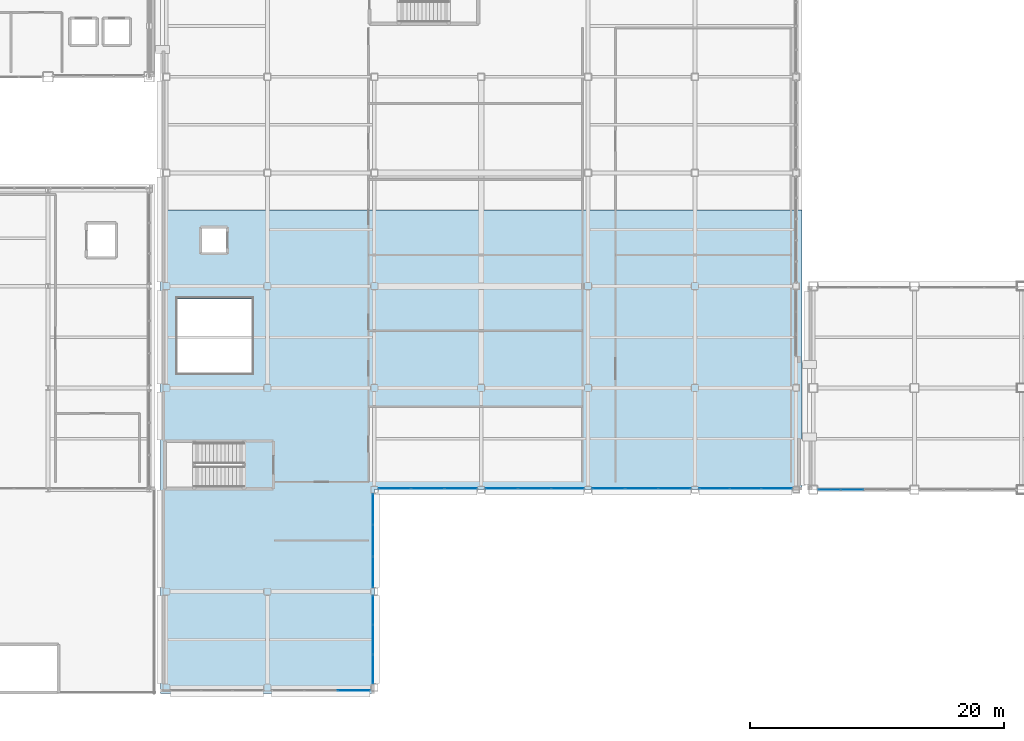
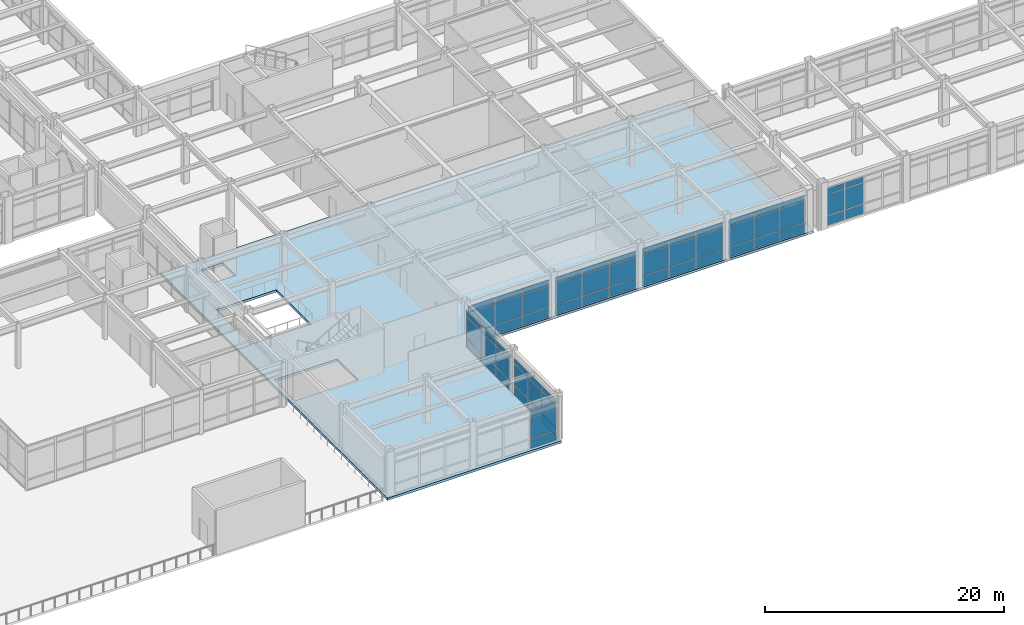
# One storey, part 117 of 154: 63 plates, 1 slab, 8 elements without a shape of their own.
"""IFC4 building model written with IfcOpenShell, lengths in metres."""

import ifcopenshell
import ifcopenshell.guid

model = None  # the IFC model being written
_history = None  # IfcOwnerHistory: only IFC2X3 demands one
_inside = {}  # id of a spatial element -> (the spatial element, [elements in it])
_under = {}  # id of a project, library or spatial element -> (it, [spatial elements below it])
_declared = {}  # id of a project -> (the project, [libraries it declares])
_typed = {}  # id of a type object -> (the type object, [elements of that type])
_made_of = {}  # id of a material, layer set ... -> (it, [elements and type objects made of it])


def new_model(schema):
    """Start an empty IFC model of exactly this schema.

    Asked for "IFC4X3", IfcOpenShell would pick the latest addendum, in which some entities
    have other attributes; the version numbers below select the first issue.
    IFC2X3 requires an IfcOwnerHistory on every rooted entity: one is made here for all.
    """
    global model, _history
    if schema == "IFC4X3":
        model = ifcopenshell.file(schema_version=(4, 3, 0, 0))
    else:
        model = ifcopenshell.file(schema=schema)
    _inside.clear()
    _under.clear()
    _declared.clear()
    _typed.clear()
    _made_of.clear()
    _history = None
    if model.schema == "IFC2X3":
        org = make("IfcOrganization", Name="unknown")
        user = make(
            "IfcPersonAndOrganization",
            ThePerson=make("IfcPerson", FamilyName="unknown"),
            TheOrganization=org,
        )
        app = make(
            "IfcApplication",
            ApplicationDeveloper=org,
            Version="unknown",
            ApplicationFullName="unknown",
            ApplicationIdentifier="unknown",
        )
        _history = make(
            "IfcOwnerHistory",
            OwningUser=user,
            OwningApplication=app,
            ChangeAction="ADDED",
            CreationDate=0,
        )
    return model


def make(cls, **values):
    """One entity of the class cls with the attributes given. An attribute that is None is left unset."""
    return model.create_entity(
        cls, **{name: value for name, value in values.items() if value is not None}
    )


def rooted(cls, **values):
    """An entity with a GlobalId (a new one), such as an element, a storey or a relation."""
    return make(cls, GlobalId=ifcopenshell.guid.new(), OwnerHistory=_history, **values)


def si_unit(unit_type, name, prefix=None):
    """IfcSIUnit, for example si_unit("LENGTHUNIT", "METRE", prefix="MILLI")."""
    return make("IfcSIUnit", UnitType=unit_type, Prefix=prefix, Name=name)


def assignment(units):
    """IfcUnitAssignment: the units of a project."""
    return None if units is None else make("IfcUnitAssignment", Units=units)


def point(xyz):
    """IfcCartesianPoint."""
    return None if xyz is None else make("IfcCartesianPoint", Coordinates=xyz)


def direction(xyz):
    """IfcDirection."""
    return None if xyz is None else make("IfcDirection", DirectionRatios=xyz)


def frame(location, z_axis=None, x_axis=None):
    """IfcAxis2Placement3D, a coordinate frame: its origin and axes. An axis left out is left unset."""
    return make(
        "IfcAxis2Placement3D",
        Location=point(location),
        Axis=direction(z_axis),
        RefDirection=direction(x_axis),
    )


def frame_2d(location, x_axis=None):
    """IfcAxis2Placement2D, a coordinate frame in the plane: its origin and x axis."""
    return make(
        "IfcAxis2Placement2D", Location=point(location), RefDirection=direction(x_axis)
    )


def origin():
    """The frame at (0, 0, 0) with its axes left unset."""
    return frame((0.0, 0.0, 0.0))


def origin_2d():
    """The frame at (0, 0) in the plane with its x axis left unset."""
    return frame_2d((0.0, 0.0))


def place(relative_to, where):
    """IfcLocalPlacement: puts the frame where relative to a parent placement (None: the world)."""
    return make(
        "IfcLocalPlacement", PlacementRelTo=relative_to, RelativePlacement=where
    )


def context(
    kind, dimensions, precision=None, world=None, true_north=None, identifier=None
):
    """IfcGeometricRepresentationContext, for example the 3D "Model" context."""
    return make(
        "IfcGeometricRepresentationContext",
        ContextIdentifier=identifier,
        ContextType=kind,
        CoordinateSpaceDimension=dimensions,
        Precision=precision,
        WorldCoordinateSystem=world,
        TrueNorth=true_north,
    )


def subcontext(parent, identifier, kind, view, scale=None):
    """IfcGeometricRepresentationSubContext, for example "Body" below "Model"."""
    return make(
        "IfcGeometricRepresentationSubContext",
        ContextIdentifier=identifier,
        ContextType=kind,
        ParentContext=parent,
        TargetScale=scale,
        TargetView=view,
    )


def project(units=None, contexts=None):
    """IfcProject with its units and contexts."""
    return rooted(
        "IfcProject",
        Name="project",
        RepresentationContexts=contexts,
        UnitsInContext=assignment(units),
    )


def spatial(cls, under=None, at=None, **own):
    """A site, building, storey or space (cls), placed at a placement, below another one or the project."""
    s = rooted(cls, ObjectPlacement=at, **own)
    if under is not None:
        _under.setdefault(under.id(), (under, []))[1].append(s)
    return s


def polyline(points):
    """IfcPolyline through the points."""
    return make("IfcPolyline", Points=[point(p) for p in points])


def profile(cls, at=None, kind="AREA", **sizes):
    """A parametric profile (cls). Its sizes go by their IFC names, for example OverallWidth=200.0."""
    return make(cls, ProfileType=kind, Position=at, **sizes)


def rectangle(**sizes):
    """IfcRectangleProfileDef."""
    return profile("IfcRectangleProfileDef", **sizes)


def outline(outer, holes=None, kind="AREA"):
    """IfcArbitraryClosedProfileDef: a profile drawn as a closed curve; with holes, ...WithVoids."""
    if holes is None:
        return make("IfcArbitraryClosedProfileDef", ProfileType=kind, OuterCurve=outer)
    return make(
        "IfcArbitraryProfileDefWithVoids",
        ProfileType=kind,
        OuterCurve=outer,
        InnerCurves=holes,
    )


def extrude(swept, where, along, depth):
    """IfcExtrudedAreaSolid: the profile swept, set in the frame where, extruded along a direction by depth."""
    return make(
        "IfcExtrudedAreaSolid",
        SweptArea=swept,
        Position=where,
        ExtrudedDirection=direction(along),
        Depth=depth,
    )


def shape(context_of_items, identifier, shape_type, items):
    """IfcShapeRepresentation: the items that make up one representation, for example the "Body"."""
    return make(
        "IfcShapeRepresentation",
        ContextOfItems=context_of_items,
        RepresentationIdentifier=identifier,
        RepresentationType=shape_type,
        Items=items,
    )


def material(Name=None, Category=None):
    """IfcMaterial."""
    return make("IfcMaterial", Name=Name, Category=Category)


def layer(
    of_material, thickness, ventilated=None, Name=None, Category=None, Priority=None
):
    """IfcMaterialLayer: one layer of a wall or slab, of a material (None: an air gap)."""
    return make(
        "IfcMaterialLayer",
        Material=of_material,
        LayerThickness=thickness,
        IsVentilated=ventilated,
        Name=Name,
        Category=Category,
        Priority=Priority,
    )


def layer_set(layers, Name=None):
    """IfcMaterialLayerSet."""
    return make("IfcMaterialLayerSet", MaterialLayers=layers, LayerSetName=Name)


def made_of(thing, what):
    """Note that an element or type object is made of a material, layer set ...; save() writes the relation."""
    if what is not None:
        _made_of.setdefault(what.id(), (what, []))[1].append(thing)
    return thing


def type_object(cls, material=None, **own):
    """A type object (cls), such as IfcWallType, which elements share."""
    return made_of(rooted(cls, **own), material)


def element(
    cls,
    number,
    at=None,
    inside=None,
    cuts=None,
    type_object=None,
    material=None,
    context=None,
    identifier="Body",
    shape_type=None,
    held_by="IfcProductDefinitionShape",
    body=None,
    shapes=None,
    **own,
):
    """One element of the class cls, such as IfcWall. Its Tag is "e" and its number.

    at: its placement. inside: the storey or other place that contains it. cuts: it is an
    opening in that element (IfcRelVoidsElement). A single representation is given by context,
    identifier, shape_type and body (its items); several are given by shapes. held_by: the class
    of the entity that holds the representations. save() writes the other relations.
    """
    e = rooted(cls, Tag="e%d" % number, ObjectPlacement=at, **own)
    if body is not None:
        shapes = [shape(context, identifier, shape_type, body)]
    if shapes is not None:
        e.Representation = make(held_by, Representations=shapes)
    if inside is not None:
        _inside.setdefault(inside.id(), (inside, []))[1].append(e)
    if cuts is not None:
        rooted(
            "IfcRelVoidsElement", RelatingBuildingElement=cuts, RelatedOpeningElement=e
        )
    if type_object is not None:
        _typed.setdefault(type_object.id(), (type_object, []))[1].append(e)
    return made_of(e, material)


def aggregate(whole, parts):
    """IfcRelAggregates: a whole, such as a stair, and the parts it consists of."""
    return rooted("IfcRelAggregates", RelatingObject=whole, RelatedObjects=parts)


def save(model, path):
    """Write the relations noted so far, then the file.

    IfcRelAggregates (storeys below a building ...), IfcRelContainedInSpatialStructure (elements
    in a storey), IfcRelDefinesByType, IfcRelAssociatesMaterial and IfcRelDeclares: one each for
    every whole, place, type object, material and project.
    """
    for whole, parts in _under.values():
        aggregate(whole, parts)
    for where, things in _inside.values():
        rooted(
            "IfcRelContainedInSpatialStructure",
            RelatedElements=things,
            RelatingStructure=where,
        )
    for kind, things in _typed.values():
        rooted("IfcRelDefinesByType", RelatedObjects=things, RelatingType=kind)
    for what, things in _made_of.values():
        rooted("IfcRelAssociatesMaterial", RelatedObjects=things, RelatingMaterial=what)
    for by, libraries in _declared.values():
        rooted("IfcRelDeclares", RelatingContext=by, RelatedDefinitions=libraries)
    model.write(path)


model = new_model("IFC4")

# Units and contexts
model_context = context("Model", 3, precision=1e-05, world=origin(), true_north=direction((0.0, 1.0)))
body_context = subcontext(model_context, "Body", "Model", "MODEL_VIEW")
ifc_project = project(units=[si_unit("LENGTHUNIT", "METRE"), si_unit("AREAUNIT", "SQUARE_METRE"), si_unit("VOLUMEUNIT", "CUBIC_METRE"), si_unit("PLANEANGLEUNIT", "RADIAN"), si_unit("MASSUNIT", "GRAM", prefix="KILO")], contexts=[model_context])

# Site, building, storey
site_placement = place(None, origin())
site = spatial("IfcSite", under=ifc_project, at=site_placement, CompositionType="ELEMENT")
building_placement = place(site_placement, origin())
building = spatial("IfcBuilding", under=site, at=building_placement, Name="Kazehara Bluff Congress Hotel", CompositionType="ELEMENT")
storey_placement = place(building_placement, frame((0.0, 0.0, 10.199951171875)))
storey = spatial("IfcBuildingStorey", under=building, at=storey_placement, Name="L02", CompositionType="ELEMENT", Elevation=10.199951171875)

# Curtain wall, plates
ifc_material_1 = material(Name="Anodised aluminium", Category="aluminium")
ifc_layer_1 = layer(ifc_material_1, 0.159912109375)
ifc_layer_set_1 = layer_set([ifc_layer_1], Name="Anodised aluminium")
curtain_wall_type_1 = type_object("IfcCurtainWallType", Name="TP-CW-78", PredefinedType="NOTDEFINED", material=ifc_layer_set_1)
curtain_wall_1_placement = place(storey_placement, origin())
curtain_wall_1 = element("IfcCurtainWall", 1, at=curtain_wall_1_placement, inside=storey, type_object=curtain_wall_type_1, Name="L02 curtain wall CW-78 CW-V5-L02-Y1600-11090", PredefinedType="NOTDEFINED")
ifc_material_2 = material(Name="Insulated low-E double glazing", Category="glass")
ifc_layer_2 = layer(ifc_material_2, 0.028076171875)
ifc_layer_set_2 = layer_set([ifc_layer_2], Name="Insulated low-E double glazing")
plate_type = type_object("IfcPlateType", Name="TP-CWP-01", PredefinedType="CURTAIN_PANEL", material=ifc_layer_set_2)
plate_1_placement = place(storey_placement, frame((111.822509765625, 16.0, 0.06494140625), z_axis=(0.0, 0.0, 1.0), x_axis=(1.0, 0.0, 0.0)))
plate_1 = element("IfcPlate", 2, at=plate_1_placement, type_object=plate_type, Name="CW-78 panel 1.1", PredefinedType="CURTAIN_PANEL", context=body_context, shape_type="SweptSolid", body=[
    extrude(rectangle(XDim=1.715087890625, YDim=0.028076171875, at=origin_2d()), origin(), (0.0, 0.0, 1.0), 0.952392578125),
])
plate_2_placement = place(storey_placement, frame((111.822509765625, 16.0, 1.08251953125), z_axis=(0.0, 0.0, 1.0), x_axis=(1.0, 0.0, 0.0)))
plate_2 = element("IfcPlate", 3, at=plate_2_placement, type_object=plate_type, Name="CW-78 panel 1.2", PredefinedType="CURTAIN_PANEL", context=body_context, shape_type="SweptSolid", body=[
    extrude(rectangle(XDim=1.715087890625, YDim=0.028076171875, at=origin_2d()), origin(), (0.0, 0.0, 1.0), 2.1201171875),
])
plate_3_placement = place(storey_placement, frame((111.822509765625, 16.0, 3.267578125), z_axis=(0.0, 0.0, 1.0), x_axis=(1.0, 0.0, 0.0)))
plate_3 = element("IfcPlate", 4, at=plate_3_placement, type_object=plate_type, Name="CW-78 panel 1.3", PredefinedType="CURTAIN_PANEL", context=body_context, shape_type="SweptSolid", body=[
    extrude(rectangle(XDim=1.715087890625, YDim=0.028076171875, at=origin_2d()), origin(), (0.0, 0.0, 1.0), 0.552490234375),
])
plate_4_placement = place(storey_placement, frame((113.61865234375, 16.0, 0.06494140625), z_axis=(0.0, 0.0, 1.0), x_axis=(1.0, 0.0, 0.0)))
plate_4 = element("IfcPlate", 5, at=plate_4_placement, type_object=plate_type, Name="CW-78 panel 2.1", PredefinedType="CURTAIN_PANEL", context=body_context, shape_type="SweptSolid", body=[
    extrude(rectangle(XDim=1.74755859375, YDim=0.028076171875, at=origin_2d()), origin(), (0.0, 0.0, 1.0), 0.952392578125),
])
plate_5_placement = place(storey_placement, frame((113.61865234375, 16.0, 1.08251953125), z_axis=(0.0, 0.0, 1.0), x_axis=(1.0, 0.0, 0.0)))
plate_5 = element("IfcPlate", 6, at=plate_5_placement, type_object=plate_type, Name="CW-78 panel 2.2", PredefinedType="CURTAIN_PANEL", context=body_context, shape_type="SweptSolid", body=[
    extrude(rectangle(XDim=1.74755859375, YDim=0.028076171875, at=origin_2d()), origin(), (0.0, 0.0, 1.0), 2.1201171875),
])
plate_6_placement = place(storey_placement, frame((113.61865234375, 16.0, 3.267578125), z_axis=(0.0, 0.0, 1.0), x_axis=(1.0, 0.0, 0.0)))
plate_6 = element("IfcPlate", 7, at=plate_6_placement, type_object=plate_type, Name="CW-78 panel 2.3", PredefinedType="CURTAIN_PANEL", context=body_context, shape_type="SweptSolid", body=[
    extrude(rectangle(XDim=1.74755859375, YDim=0.028076171875, at=origin_2d()), origin(), (0.0, 0.0, 1.0), 0.552490234375),
])
aggregate(curtain_wall_1, [plate_1, plate_2, plate_3, plate_4, plate_5, plate_6])

ifc_material_3 = material(Name="Anodised aluminium", Category="aluminium")
ifc_layer_3 = layer(ifc_material_3, 0.159912109375)
ifc_layer_set_3 = layer_set([ifc_layer_3], Name="Anodised aluminium")
curtain_wall_type_2 = type_object("IfcCurtainWallType", Name="TP-CW-117", PredefinedType="NOTDEFINED", material=ifc_layer_set_3)
curtain_wall_2_placement = place(storey_placement, origin())
curtain_wall_2 = element("IfcCurtainWall", 8, at=curtain_wall_2_placement, inside=storey, type_object=curtain_wall_type_2, Name="L02 curtain wall CW-117 CW-ENC-V4-L02-7185-22", PredefinedType="NOTDEFINED")
plate_7_placement = place(storey_placement, frame((74.450439453125, 0.219970703125, 0.06494140625), z_axis=(0.0, 0.0, 1.0), x_axis=(-1.0, 0.0, 0.0)))
plate_7 = element("IfcPlate", 9, at=plate_7_placement, type_object=plate_type, Name="CW-117 panel 1.1", PredefinedType="CURTAIN_PANEL", context=body_context, shape_type="SweptSolid", body=[
    extrude(rectangle(XDim=2.519287109375, YDim=0.028076171875, at=origin_2d()), origin(), (0.0, 0.0, 1.0), 0.952392578125),
])
plate_8_placement = place(storey_placement, frame((74.450439453125, 0.219970703125, 1.08251953125), z_axis=(0.0, 0.0, 1.0), x_axis=(-1.0, 0.0, 0.0)))
plate_8 = element("IfcPlate", 10, at=plate_8_placement, type_object=plate_type, Name="CW-117 panel 1.2", PredefinedType="CURTAIN_PANEL", context=body_context, shape_type="SweptSolid", body=[
    extrude(rectangle(XDim=2.519287109375, YDim=0.028076171875, at=origin_2d()), origin(), (0.0, 0.0, 1.0), 2.1201171875),
])
plate_9_placement = place(storey_placement, frame((74.450439453125, 0.219970703125, 3.267578125), z_axis=(0.0, 0.0, 1.0), x_axis=(-1.0, 0.0, 0.0)))
plate_9 = element("IfcPlate", 11, at=plate_9_placement, type_object=plate_type, Name="CW-117 panel 1.3", PredefinedType="CURTAIN_PANEL", context=body_context, shape_type="SweptSolid", body=[
    extrude(rectangle(XDim=2.519287109375, YDim=0.028076171875, at=origin_2d()), origin(), (0.0, 0.0, 1.0), 0.552490234375),
])
aggregate(curtain_wall_2, [plate_7, plate_8, plate_9])

ifc_material_4 = material(Name="Anodised aluminium", Category="aluminium")
ifc_layer_4 = layer(ifc_material_4, 0.159912109375)
ifc_layer_set_4 = layer_set([ifc_layer_4], Name="Anodised aluminium")
curtain_wall_type_3 = type_object("IfcCurtainWallType", Name="TP-CW-139", PredefinedType="NOTDEFINED", material=ifc_layer_set_4)
curtain_wall_3_placement = place(storey_placement, origin())
curtain_wall_3 = element("IfcCurtainWall", 12, at=curtain_wall_3_placement, inside=storey, type_object=curtain_wall_type_3, Name="L02 curtain wall CW-139 CW-ENC-V4-L02-7595-422", PredefinedType="NOTDEFINED")
plate_10_placement = place(storey_placement, frame((75.949951171875, 6.5419921875, 0.06494140625), z_axis=(0.0, 0.0, 1.0), x_axis=(0.0, -1.0, 0.0)))
plate_10 = element("IfcPlate", 13, at=plate_10_placement, type_object=plate_type, Name="CW-139 panel 1.1", PredefinedType="CURTAIN_PANEL", context=body_context, shape_type="SweptSolid", body=[
    extrude(rectangle(XDim=2.23583984375, YDim=0.028076171875, at=origin_2d()), origin(), (0.0, 0.0, 1.0), 0.952392578125),
])
plate_11_placement = place(storey_placement, frame((75.949951171875, 6.5419921875, 1.08251953125), z_axis=(0.0, 0.0, 1.0), x_axis=(0.0, -1.0, 0.0)))
plate_11 = element("IfcPlate", 14, at=plate_11_placement, type_object=plate_type, Name="CW-139 panel 1.2", PredefinedType="CURTAIN_PANEL", context=body_context, shape_type="SweptSolid", body=[
    extrude(rectangle(XDim=2.23583984375, YDim=0.028076171875, at=origin_2d()), origin(), (0.0, 0.0, 1.0), 2.1201171875),
])
plate_12_placement = place(storey_placement, frame((75.949951171875, 6.5419921875, 3.267578125), z_axis=(0.0, 0.0, 1.0), x_axis=(0.0, -1.0, 0.0)))
plate_12 = element("IfcPlate", 15, at=plate_12_placement, type_object=plate_type, Name="CW-139 panel 1.3", PredefinedType="CURTAIN_PANEL", context=body_context, shape_type="SweptSolid", body=[
    extrude(rectangle(XDim=2.23583984375, YDim=0.028076171875, at=origin_2d()), origin(), (0.0, 0.0, 1.0), 0.552490234375),
])
plate_13_placement = place(storey_placement, frame((75.949951171875, 4.22509765625, 0.06494140625), z_axis=(0.0, 0.0, 1.0), x_axis=(0.0, -1.0, 0.0)))
plate_13 = element("IfcPlate", 16, at=plate_13_placement, type_object=plate_type, Name="CW-139 panel 2.1", PredefinedType="CURTAIN_PANEL", context=body_context, shape_type="SweptSolid", body=[
    extrude(rectangle(XDim=2.268310546875, YDim=0.028076171875, at=origin_2d()), origin(), (0.0, 0.0, 1.0), 0.952392578125),
])
plate_14_placement = place(storey_placement, frame((75.949951171875, 4.22509765625, 1.08251953125), z_axis=(0.0, 0.0, 1.0), x_axis=(0.0, -1.0, 0.0)))
plate_14 = element("IfcPlate", 17, at=plate_14_placement, type_object=plate_type, Name="CW-139 panel 2.2", PredefinedType="CURTAIN_PANEL", context=body_context, shape_type="SweptSolid", body=[
    extrude(rectangle(XDim=2.268310546875, YDim=0.028076171875, at=origin_2d()), origin(), (0.0, 0.0, 1.0), 2.1201171875),
])
plate_15_placement = place(storey_placement, frame((75.949951171875, 4.22509765625, 3.267578125), z_axis=(0.0, 0.0, 1.0), x_axis=(0.0, -1.0, 0.0)))
plate_15 = element("IfcPlate", 18, at=plate_15_placement, type_object=plate_type, Name="CW-139 panel 2.3", PredefinedType="CURTAIN_PANEL", context=body_context, shape_type="SweptSolid", body=[
    extrude(rectangle(XDim=2.268310546875, YDim=0.028076171875, at=origin_2d()), origin(), (0.0, 0.0, 1.0), 0.552490234375),
])
plate_16_placement = place(storey_placement, frame((75.949951171875, 1.907958984375, 0.06494140625), z_axis=(0.0, 0.0, 1.0), x_axis=(0.0, -1.0, 0.0)))
plate_16 = element("IfcPlate", 19, at=plate_16_placement, type_object=plate_type, Name="CW-139 panel 3.1", PredefinedType="CURTAIN_PANEL", context=body_context, shape_type="SweptSolid", body=[
    extrude(rectangle(XDim=2.23583984375, YDim=0.028076171875, at=origin_2d()), origin(), (0.0, 0.0, 1.0), 0.952392578125),
])
plate_17_placement = place(storey_placement, frame((75.949951171875, 1.907958984375, 1.08251953125), z_axis=(0.0, 0.0, 1.0), x_axis=(0.0, -1.0, 0.0)))
plate_17 = element("IfcPlate", 20, at=plate_17_placement, type_object=plate_type, Name="CW-139 panel 3.2", PredefinedType="CURTAIN_PANEL", context=body_context, shape_type="SweptSolid", body=[
    extrude(rectangle(XDim=2.23583984375, YDim=0.028076171875, at=origin_2d()), origin(), (0.0, 0.0, 1.0), 2.1201171875),
])
plate_18_placement = place(storey_placement, frame((75.949951171875, 1.907958984375, 3.267578125), z_axis=(0.0, 0.0, 1.0), x_axis=(0.0, -1.0, 0.0)))
plate_18 = element("IfcPlate", 21, at=plate_18_placement, type_object=plate_type, Name="CW-139 panel 3.3", PredefinedType="CURTAIN_PANEL", context=body_context, shape_type="SweptSolid", body=[
    extrude(rectangle(XDim=2.23583984375, YDim=0.028076171875, at=origin_2d()), origin(), (0.0, 0.0, 1.0), 0.552490234375),
])
aggregate(curtain_wall_3, [plate_10, plate_11, plate_12, plate_13, plate_14, plate_15, plate_16, plate_17, plate_18])

ifc_material_5 = material(Name="Anodised aluminium", Category="aluminium")
ifc_layer_5 = layer(ifc_material_5, 0.159912109375)
ifc_layer_set_5 = layer_set([ifc_layer_5], Name="Anodised aluminium")
curtain_wall_type_4 = type_object("IfcCurtainWallType", Name="TP-CW-140", PredefinedType="NOTDEFINED", material=ifc_layer_set_5)
curtain_wall_4_placement = place(storey_placement, origin())
curtain_wall_4 = element("IfcCurtainWall", 22, at=curtain_wall_4_placement, inside=storey, type_object=curtain_wall_type_4, Name="L02 curtain wall CW-140 CW-ENC-V4-L02-7595-1200", PredefinedType="NOTDEFINED")
plate_19_placement = place(storey_placement, frame((75.949951171875, 14.467041015625, 0.06494140625), z_axis=(0.0, 0.0, 1.0), x_axis=(0.0, -1.0, 0.0)))
plate_19 = element("IfcPlate", 23, at=plate_19_placement, type_object=plate_type, Name="CW-140 panel 1.1", PredefinedType="CURTAIN_PANEL", context=body_context, shape_type="SweptSolid", body=[
    extrude(rectangle(XDim=2.3857421875, YDim=0.028076171875, at=origin_2d()), origin(), (0.0, 0.0, 1.0), 0.952392578125),
])
plate_20_placement = place(storey_placement, frame((75.949951171875, 14.467041015625, 1.08251953125), z_axis=(0.0, 0.0, 1.0), x_axis=(0.0, -1.0, 0.0)))
plate_20 = element("IfcPlate", 24, at=plate_20_placement, type_object=plate_type, Name="CW-140 panel 1.2", PredefinedType="CURTAIN_PANEL", context=body_context, shape_type="SweptSolid", body=[
    extrude(rectangle(XDim=2.3857421875, YDim=0.028076171875, at=origin_2d()), origin(), (0.0, 0.0, 1.0), 2.1201171875),
])
plate_21_placement = place(storey_placement, frame((75.949951171875, 14.467041015625, 3.267578125), z_axis=(0.0, 0.0, 1.0), x_axis=(0.0, -1.0, 0.0)))
plate_21 = element("IfcPlate", 25, at=plate_21_placement, type_object=plate_type, Name="CW-140 panel 1.3", PredefinedType="CURTAIN_PANEL", context=body_context, shape_type="SweptSolid", body=[
    extrude(rectangle(XDim=2.3857421875, YDim=0.028076171875, at=origin_2d()), origin(), (0.0, 0.0, 1.0), 0.552490234375),
])
plate_22_placement = place(storey_placement, frame((75.949951171875, 12.0, 0.06494140625), z_axis=(0.0, 0.0, 1.0), x_axis=(0.0, -1.0, 0.0)))
plate_22 = element("IfcPlate", 26, at=plate_22_placement, type_object=plate_type, Name="CW-140 panel 2.1", PredefinedType="CURTAIN_PANEL", context=body_context, shape_type="SweptSolid", body=[
    extrude(rectangle(XDim=2.418212890625, YDim=0.028076171875, at=origin_2d()), origin(), (0.0, 0.0, 1.0), 0.952392578125),
])
plate_23_placement = place(storey_placement, frame((75.949951171875, 12.0, 1.08251953125), z_axis=(0.0, 0.0, 1.0), x_axis=(0.0, -1.0, 0.0)))
plate_23 = element("IfcPlate", 27, at=plate_23_placement, type_object=plate_type, Name="CW-140 panel 2.2", PredefinedType="CURTAIN_PANEL", context=body_context, shape_type="SweptSolid", body=[
    extrude(rectangle(XDim=2.418212890625, YDim=0.028076171875, at=origin_2d()), origin(), (0.0, 0.0, 1.0), 2.1201171875),
])
plate_24_placement = place(storey_placement, frame((75.949951171875, 12.0, 3.267578125), z_axis=(0.0, 0.0, 1.0), x_axis=(0.0, -1.0, 0.0)))
plate_24 = element("IfcPlate", 28, at=plate_24_placement, type_object=plate_type, Name="CW-140 panel 2.3", PredefinedType="CURTAIN_PANEL", context=body_context, shape_type="SweptSolid", body=[
    extrude(rectangle(XDim=2.418212890625, YDim=0.028076171875, at=origin_2d()), origin(), (0.0, 0.0, 1.0), 0.552490234375),
])
plate_25_placement = place(storey_placement, frame((75.949951171875, 9.532958984375, 0.06494140625), z_axis=(0.0, 0.0, 1.0), x_axis=(0.0, -1.0, 0.0)))
plate_25 = element("IfcPlate", 29, at=plate_25_placement, type_object=plate_type, Name="CW-140 panel 3.1", PredefinedType="CURTAIN_PANEL", context=body_context, shape_type="SweptSolid", body=[
    extrude(rectangle(XDim=2.3857421875, YDim=0.028076171875, at=origin_2d()), origin(), (0.0, 0.0, 1.0), 0.952392578125),
])
plate_26_placement = place(storey_placement, frame((75.949951171875, 9.532958984375, 1.08251953125), z_axis=(0.0, 0.0, 1.0), x_axis=(0.0, -1.0, 0.0)))
plate_26 = element("IfcPlate", 30, at=plate_26_placement, type_object=plate_type, Name="CW-140 panel 3.2", PredefinedType="CURTAIN_PANEL", context=body_context, shape_type="SweptSolid", body=[
    extrude(rectangle(XDim=2.3857421875, YDim=0.028076171875, at=origin_2d()), origin(), (0.0, 0.0, 1.0), 2.1201171875),
])
plate_27_placement = place(storey_placement, frame((75.949951171875, 9.532958984375, 3.267578125), z_axis=(0.0, 0.0, 1.0), x_axis=(0.0, -1.0, 0.0)))
plate_27 = element("IfcPlate", 31, at=plate_27_placement, type_object=plate_type, Name="CW-140 panel 3.3", PredefinedType="CURTAIN_PANEL", context=body_context, shape_type="SweptSolid", body=[
    extrude(rectangle(XDim=2.3857421875, YDim=0.028076171875, at=origin_2d()), origin(), (0.0, 0.0, 1.0), 0.552490234375),
])
aggregate(curtain_wall_4, [plate_19, plate_20, plate_21, plate_22, plate_23, plate_24, plate_25, plate_26, plate_27])

curtain_wall_5_placement = place(storey_placement, origin())
curtain_wall_5 = element("IfcCurtainWall", 32, at=curtain_wall_5_placement, inside=storey, type_object=curtain_wall_type_2, Name="L02 curtain wall CW-117 CW-ENC-V4-L02-8025-1610", PredefinedType="NOTDEFINED")
plate_28_placement = place(storey_placement, frame((82.850341796875, 16.10009765625, 0.06494140625), z_axis=(0.0, 0.0, 1.0), x_axis=(-1.0, 0.0, 0.0)))
plate_28 = element("IfcPlate", 33, at=plate_28_placement, type_object=plate_type, Name="CW-117 panel 1.1", PredefinedType="CURTAIN_PANEL", context=body_context, shape_type="SweptSolid", body=[
    extrude(rectangle(XDim=2.519287109375, YDim=0.028076171875, at=origin_2d()), origin(), (0.0, 0.0, 1.0), 0.952392578125),
])
plate_29_placement = place(storey_placement, frame((82.850341796875, 16.10009765625, 1.08251953125), z_axis=(0.0, 0.0, 1.0), x_axis=(-1.0, 0.0, 0.0)))
plate_29 = element("IfcPlate", 34, at=plate_29_placement, type_object=plate_type, Name="CW-117 panel 1.2", PredefinedType="CURTAIN_PANEL", context=body_context, shape_type="SweptSolid", body=[
    extrude(rectangle(XDim=2.519287109375, YDim=0.028076171875, at=origin_2d()), origin(), (0.0, 0.0, 1.0), 2.1201171875),
])
plate_30_placement = place(storey_placement, frame((82.850341796875, 16.10009765625, 3.267578125), z_axis=(0.0, 0.0, 1.0), x_axis=(-1.0, 0.0, 0.0)))
plate_30 = element("IfcPlate", 35, at=plate_30_placement, type_object=plate_type, Name="CW-117 panel 1.3", PredefinedType="CURTAIN_PANEL", context=body_context, shape_type="SweptSolid", body=[
    extrude(rectangle(XDim=2.519287109375, YDim=0.028076171875, at=origin_2d()), origin(), (0.0, 0.0, 1.0), 0.552490234375),
])
plate_31_placement = place(storey_placement, frame((80.25, 16.10009765625, 0.06494140625), z_axis=(0.0, 0.0, 1.0), x_axis=(-1.0, 0.0, 0.0)))
plate_31 = element("IfcPlate", 36, at=plate_31_placement, type_object=plate_type, Name="CW-117 panel 2.1", PredefinedType="CURTAIN_PANEL", context=body_context, shape_type="SweptSolid", body=[
    extrude(rectangle(XDim=2.5517578125, YDim=0.028076171875, at=origin_2d()), origin(), (0.0, 0.0, 1.0), 0.952392578125),
])
plate_32_placement = place(storey_placement, frame((80.25, 16.10009765625, 1.08251953125), z_axis=(0.0, 0.0, 1.0), x_axis=(-1.0, 0.0, 0.0)))
plate_32 = element("IfcPlate", 37, at=plate_32_placement, type_object=plate_type, Name="CW-117 panel 2.2", PredefinedType="CURTAIN_PANEL", context=body_context, shape_type="SweptSolid", body=[
    extrude(rectangle(XDim=2.5517578125, YDim=0.028076171875, at=origin_2d()), origin(), (0.0, 0.0, 1.0), 2.1201171875),
])
plate_33_placement = place(storey_placement, frame((80.25, 16.10009765625, 3.267578125), z_axis=(0.0, 0.0, 1.0), x_axis=(-1.0, 0.0, 0.0)))
plate_33 = element("IfcPlate", 38, at=plate_33_placement, type_object=plate_type, Name="CW-117 panel 2.3", PredefinedType="CURTAIN_PANEL", context=body_context, shape_type="SweptSolid", body=[
    extrude(rectangle(XDim=2.5517578125, YDim=0.028076171875, at=origin_2d()), origin(), (0.0, 0.0, 1.0), 0.552490234375),
])
plate_34_placement = place(storey_placement, frame((77.649658203125, 16.10009765625, 0.06494140625), z_axis=(0.0, 0.0, 1.0), x_axis=(-1.0, 0.0, 0.0)))
plate_34 = element("IfcPlate", 39, at=plate_34_placement, type_object=plate_type, Name="CW-117 panel 3.1", PredefinedType="CURTAIN_PANEL", context=body_context, shape_type="SweptSolid", body=[
    extrude(rectangle(XDim=2.519287109375, YDim=0.028076171875, at=origin_2d()), origin(), (0.0, 0.0, 1.0), 0.952392578125),
])
plate_35_placement = place(storey_placement, frame((77.649658203125, 16.10009765625, 1.08251953125), z_axis=(0.0, 0.0, 1.0), x_axis=(-1.0, 0.0, 0.0)))
plate_35 = element("IfcPlate", 40, at=plate_35_placement, type_object=plate_type, Name="CW-117 panel 3.2", PredefinedType="CURTAIN_PANEL", context=body_context, shape_type="SweptSolid", body=[
    extrude(rectangle(XDim=2.519287109375, YDim=0.028076171875, at=origin_2d()), origin(), (0.0, 0.0, 1.0), 2.1201171875),
])
plate_36_placement = place(storey_placement, frame((77.649658203125, 16.10009765625, 3.267578125), z_axis=(0.0, 0.0, 1.0), x_axis=(-1.0, 0.0, 0.0)))
plate_36 = element("IfcPlate", 41, at=plate_36_placement, type_object=plate_type, Name="CW-117 panel 3.3", PredefinedType="CURTAIN_PANEL", context=body_context, shape_type="SweptSolid", body=[
    extrude(rectangle(XDim=2.519287109375, YDim=0.028076171875, at=origin_2d()), origin(), (0.0, 0.0, 1.0), 0.552490234375),
])
aggregate(curtain_wall_5, [plate_28, plate_29, plate_30, plate_31, plate_32, plate_33, plate_34, plate_35, plate_36])

curtain_wall_6_placement = place(storey_placement, origin())
curtain_wall_6 = element("IfcCurtainWall", 42, at=curtain_wall_6_placement, inside=storey, type_object=curtain_wall_type_2, Name="L02 curtain wall CW-117 CW-ENC-V4-L02-8865-1610", PredefinedType="NOTDEFINED")
plate_37_placement = place(storey_placement, frame((91.25048828125, 16.10009765625, 0.06494140625), z_axis=(0.0, 0.0, 1.0), x_axis=(-1.0, 0.0, 0.0)))
plate_37 = element("IfcPlate", 43, at=plate_37_placement, type_object=plate_type, Name="CW-117 panel 1.1", PredefinedType="CURTAIN_PANEL", context=body_context, shape_type="SweptSolid", body=[
    extrude(rectangle(XDim=2.519287109375, YDim=0.028076171875, at=origin_2d()), origin(), (0.0, 0.0, 1.0), 0.952392578125),
])
plate_38_placement = place(storey_placement, frame((91.25048828125, 16.10009765625, 1.08251953125), z_axis=(0.0, 0.0, 1.0), x_axis=(-1.0, 0.0, 0.0)))
plate_38 = element("IfcPlate", 44, at=plate_38_placement, type_object=plate_type, Name="CW-117 panel 1.2", PredefinedType="CURTAIN_PANEL", context=body_context, shape_type="SweptSolid", body=[
    extrude(rectangle(XDim=2.519287109375, YDim=0.028076171875, at=origin_2d()), origin(), (0.0, 0.0, 1.0), 2.1201171875),
])
plate_39_placement = place(storey_placement, frame((91.25048828125, 16.10009765625, 3.267578125), z_axis=(0.0, 0.0, 1.0), x_axis=(-1.0, 0.0, 0.0)))
plate_39 = element("IfcPlate", 45, at=plate_39_placement, type_object=plate_type, Name="CW-117 panel 1.3", PredefinedType="CURTAIN_PANEL", context=body_context, shape_type="SweptSolid", body=[
    extrude(rectangle(XDim=2.519287109375, YDim=0.028076171875, at=origin_2d()), origin(), (0.0, 0.0, 1.0), 0.552490234375),
])
plate_40_placement = place(storey_placement, frame((88.64990234375, 16.10009765625, 0.06494140625), z_axis=(0.0, 0.0, 1.0), x_axis=(-1.0, 0.0, 0.0)))
plate_40 = element("IfcPlate", 46, at=plate_40_placement, type_object=plate_type, Name="CW-117 panel 2.1", PredefinedType="CURTAIN_PANEL", context=body_context, shape_type="SweptSolid", body=[
    extrude(rectangle(XDim=2.5517578125, YDim=0.028076171875, at=origin_2d()), origin(), (0.0, 0.0, 1.0), 0.952392578125),
])
plate_41_placement = place(storey_placement, frame((88.64990234375, 16.10009765625, 1.08251953125), z_axis=(0.0, 0.0, 1.0), x_axis=(-1.0, 0.0, 0.0)))
plate_41 = element("IfcPlate", 47, at=plate_41_placement, type_object=plate_type, Name="CW-117 panel 2.2", PredefinedType="CURTAIN_PANEL", context=body_context, shape_type="SweptSolid", body=[
    extrude(rectangle(XDim=2.5517578125, YDim=0.028076171875, at=origin_2d()), origin(), (0.0, 0.0, 1.0), 2.1201171875),
])
plate_42_placement = place(storey_placement, frame((88.64990234375, 16.10009765625, 3.267578125), z_axis=(0.0, 0.0, 1.0), x_axis=(-1.0, 0.0, 0.0)))
plate_42 = element("IfcPlate", 48, at=plate_42_placement, type_object=plate_type, Name="CW-117 panel 2.3", PredefinedType="CURTAIN_PANEL", context=body_context, shape_type="SweptSolid", body=[
    extrude(rectangle(XDim=2.5517578125, YDim=0.028076171875, at=origin_2d()), origin(), (0.0, 0.0, 1.0), 0.552490234375),
])
plate_43_placement = place(storey_placement, frame((86.049560546875, 16.10009765625, 0.06494140625), z_axis=(0.0, 0.0, 1.0), x_axis=(-1.0, 0.0, 0.0)))
plate_43 = element("IfcPlate", 49, at=plate_43_placement, type_object=plate_type, Name="CW-117 panel 3.1", PredefinedType="CURTAIN_PANEL", context=body_context, shape_type="SweptSolid", body=[
    extrude(rectangle(XDim=2.519287109375, YDim=0.028076171875, at=origin_2d()), origin(), (0.0, 0.0, 1.0), 0.952392578125),
])
plate_44_placement = place(storey_placement, frame((86.049560546875, 16.10009765625, 1.08251953125), z_axis=(0.0, 0.0, 1.0), x_axis=(-1.0, 0.0, 0.0)))
plate_44 = element("IfcPlate", 50, at=plate_44_placement, type_object=plate_type, Name="CW-117 panel 3.2", PredefinedType="CURTAIN_PANEL", context=body_context, shape_type="SweptSolid", body=[
    extrude(rectangle(XDim=2.519287109375, YDim=0.028076171875, at=origin_2d()), origin(), (0.0, 0.0, 1.0), 2.1201171875),
])
plate_45_placement = place(storey_placement, frame((86.049560546875, 16.10009765625, 3.267578125), z_axis=(0.0, 0.0, 1.0), x_axis=(-1.0, 0.0, 0.0)))
plate_45 = element("IfcPlate", 51, at=plate_45_placement, type_object=plate_type, Name="CW-117 panel 3.3", PredefinedType="CURTAIN_PANEL", context=body_context, shape_type="SweptSolid", body=[
    extrude(rectangle(XDim=2.519287109375, YDim=0.028076171875, at=origin_2d()), origin(), (0.0, 0.0, 1.0), 0.552490234375),
])
aggregate(curtain_wall_6, [plate_37, plate_38, plate_39, plate_40, plate_41, plate_42, plate_43, plate_44, plate_45])

curtain_wall_7_placement = place(storey_placement, origin())
curtain_wall_7 = element("IfcCurtainWall", 52, at=curtain_wall_7_placement, inside=storey, type_object=curtain_wall_type_2, Name="L02 curtain wall CW-117 CW-ENC-V4-L02-9705-1610", PredefinedType="NOTDEFINED")
plate_46_placement = place(storey_placement, frame((99.650390625, 16.10009765625, 0.06494140625), z_axis=(0.0, 0.0, 1.0), x_axis=(-1.0, 0.0, 0.0)))
plate_46 = element("IfcPlate", 53, at=plate_46_placement, type_object=plate_type, Name="CW-117 panel 1.1", PredefinedType="CURTAIN_PANEL", context=body_context, shape_type="SweptSolid", body=[
    extrude(rectangle(XDim=2.519287109375, YDim=0.028076171875, at=origin_2d()), origin(), (0.0, 0.0, 1.0), 0.952392578125),
])
plate_47_placement = place(storey_placement, frame((99.650390625, 16.10009765625, 1.08251953125), z_axis=(0.0, 0.0, 1.0), x_axis=(-1.0, 0.0, 0.0)))
plate_47 = element("IfcPlate", 54, at=plate_47_placement, type_object=plate_type, Name="CW-117 panel 1.2", PredefinedType="CURTAIN_PANEL", context=body_context, shape_type="SweptSolid", body=[
    extrude(rectangle(XDim=2.519287109375, YDim=0.028076171875, at=origin_2d()), origin(), (0.0, 0.0, 1.0), 2.1201171875),
])
plate_48_placement = place(storey_placement, frame((99.650390625, 16.10009765625, 3.267578125), z_axis=(0.0, 0.0, 1.0), x_axis=(-1.0, 0.0, 0.0)))
plate_48 = element("IfcPlate", 55, at=plate_48_placement, type_object=plate_type, Name="CW-117 panel 1.3", PredefinedType="CURTAIN_PANEL", context=body_context, shape_type="SweptSolid", body=[
    extrude(rectangle(XDim=2.519287109375, YDim=0.028076171875, at=origin_2d()), origin(), (0.0, 0.0, 1.0), 0.552490234375),
])
plate_49_placement = place(storey_placement, frame((97.050048828125, 16.10009765625, 0.06494140625), z_axis=(0.0, 0.0, 1.0), x_axis=(-1.0, 0.0, 0.0)))
plate_49 = element("IfcPlate", 56, at=plate_49_placement, type_object=plate_type, Name="CW-117 panel 2.1", PredefinedType="CURTAIN_PANEL", context=body_context, shape_type="SweptSolid", body=[
    extrude(rectangle(XDim=2.5517578125, YDim=0.028076171875, at=origin_2d()), origin(), (0.0, 0.0, 1.0), 0.952392578125),
])
plate_50_placement = place(storey_placement, frame((97.050048828125, 16.10009765625, 1.08251953125), z_axis=(0.0, 0.0, 1.0), x_axis=(-1.0, 0.0, 0.0)))
plate_50 = element("IfcPlate", 57, at=plate_50_placement, type_object=plate_type, Name="CW-117 panel 2.2", PredefinedType="CURTAIN_PANEL", context=body_context, shape_type="SweptSolid", body=[
    extrude(rectangle(XDim=2.5517578125, YDim=0.028076171875, at=origin_2d()), origin(), (0.0, 0.0, 1.0), 2.1201171875),
])
plate_51_placement = place(storey_placement, frame((97.050048828125, 16.10009765625, 3.267578125), z_axis=(0.0, 0.0, 1.0), x_axis=(-1.0, 0.0, 0.0)))
plate_51 = element("IfcPlate", 58, at=plate_51_placement, type_object=plate_type, Name="CW-117 panel 2.3", PredefinedType="CURTAIN_PANEL", context=body_context, shape_type="SweptSolid", body=[
    extrude(rectangle(XDim=2.5517578125, YDim=0.028076171875, at=origin_2d()), origin(), (0.0, 0.0, 1.0), 0.552490234375),
])
plate_52_placement = place(storey_placement, frame((94.449462890625, 16.10009765625, 0.06494140625), z_axis=(0.0, 0.0, 1.0), x_axis=(-1.0, 0.0, 0.0)))
plate_52 = element("IfcPlate", 59, at=plate_52_placement, type_object=plate_type, Name="CW-117 panel 3.1", PredefinedType="CURTAIN_PANEL", context=body_context, shape_type="SweptSolid", body=[
    extrude(rectangle(XDim=2.519287109375, YDim=0.028076171875, at=origin_2d()), origin(), (0.0, 0.0, 1.0), 0.952392578125),
])
plate_53_placement = place(storey_placement, frame((94.449462890625, 16.10009765625, 1.08251953125), z_axis=(0.0, 0.0, 1.0), x_axis=(-1.0, 0.0, 0.0)))
plate_53 = element("IfcPlate", 60, at=plate_53_placement, type_object=plate_type, Name="CW-117 panel 3.2", PredefinedType="CURTAIN_PANEL", context=body_context, shape_type="SweptSolid", body=[
    extrude(rectangle(XDim=2.519287109375, YDim=0.028076171875, at=origin_2d()), origin(), (0.0, 0.0, 1.0), 2.1201171875),
])
plate_54_placement = place(storey_placement, frame((94.449462890625, 16.10009765625, 3.267578125), z_axis=(0.0, 0.0, 1.0), x_axis=(-1.0, 0.0, 0.0)))
plate_54 = element("IfcPlate", 61, at=plate_54_placement, type_object=plate_type, Name="CW-117 panel 3.3", PredefinedType="CURTAIN_PANEL", context=body_context, shape_type="SweptSolid", body=[
    extrude(rectangle(XDim=2.519287109375, YDim=0.028076171875, at=origin_2d()), origin(), (0.0, 0.0, 1.0), 0.552490234375),
])
aggregate(curtain_wall_7, [plate_46, plate_47, plate_48, plate_49, plate_50, plate_51, plate_52, plate_53, plate_54])

ifc_material_6 = material(Name="Anodised aluminium", Category="aluminium")
ifc_layer_6 = layer(ifc_material_6, 0.159912109375)
ifc_layer_set_6 = layer_set([ifc_layer_6], Name="Anodised aluminium")
curtain_wall_type_5 = type_object("IfcCurtainWallType", Name="TP-CW-34", PredefinedType="NOTDEFINED", material=ifc_layer_set_6)
curtain_wall_8_placement = place(storey_placement, origin())
curtain_wall_8 = element("IfcCurtainWall", 62, at=curtain_wall_8_placement, inside=storey, type_object=curtain_wall_type_5, Name="L02 curtain wall CW-34 CW-ENC-V4-L02-10522-1610", PredefinedType="NOTDEFINED")
plate_55_placement = place(storey_placement, frame((107.675537109375, 16.10009765625, 0.06494140625), z_axis=(0.0, 0.0, 1.0), x_axis=(-1.0, 0.0, 0.0)))
plate_55 = element("IfcPlate", 63, at=plate_55_placement, type_object=plate_type, Name="CW-34 panel 1.1", PredefinedType="CURTAIN_PANEL", context=body_context, shape_type="SweptSolid", body=[
    extrude(rectangle(XDim=2.369140625, YDim=0.028076171875, at=origin_2d()), origin(), (0.0, 0.0, 1.0), 0.952392578125),
])
plate_56_placement = place(storey_placement, frame((107.675537109375, 16.10009765625, 1.08251953125), z_axis=(0.0, 0.0, 1.0), x_axis=(-1.0, 0.0, 0.0)))
plate_56 = element("IfcPlate", 64, at=plate_56_placement, type_object=plate_type, Name="CW-34 panel 1.2", PredefinedType="CURTAIN_PANEL", context=body_context, shape_type="SweptSolid", body=[
    extrude(rectangle(XDim=2.369140625, YDim=0.028076171875, at=origin_2d()), origin(), (0.0, 0.0, 1.0), 2.1201171875),
])
plate_57_placement = place(storey_placement, frame((107.675537109375, 16.10009765625, 3.267578125), z_axis=(0.0, 0.0, 1.0), x_axis=(-1.0, 0.0, 0.0)))
plate_57 = element("IfcPlate", 65, at=plate_57_placement, type_object=plate_type, Name="CW-34 panel 1.3", PredefinedType="CURTAIN_PANEL", context=body_context, shape_type="SweptSolid", body=[
    extrude(rectangle(XDim=2.369140625, YDim=0.028076171875, at=origin_2d()), origin(), (0.0, 0.0, 1.0), 0.552490234375),
])
plate_58_placement = place(storey_placement, frame((105.22509765625, 16.10009765625, 0.06494140625), z_axis=(0.0, 0.0, 1.0), x_axis=(-1.0, 0.0, 0.0)))
plate_58 = element("IfcPlate", 66, at=plate_58_placement, type_object=plate_type, Name="CW-34 panel 2.1", PredefinedType="CURTAIN_PANEL", context=body_context, shape_type="SweptSolid", body=[
    extrude(rectangle(XDim=2.401611328125, YDim=0.028076171875, at=origin_2d()), origin(), (0.0, 0.0, 1.0), 0.952392578125),
])
plate_59_placement = place(storey_placement, frame((105.22509765625, 16.10009765625, 1.08251953125), z_axis=(0.0, 0.0, 1.0), x_axis=(-1.0, 0.0, 0.0)))
plate_59 = element("IfcPlate", 67, at=plate_59_placement, type_object=plate_type, Name="CW-34 panel 2.2", PredefinedType="CURTAIN_PANEL", context=body_context, shape_type="SweptSolid", body=[
    extrude(rectangle(XDim=2.401611328125, YDim=0.028076171875, at=origin_2d()), origin(), (0.0, 0.0, 1.0), 2.1201171875),
])
plate_60_placement = place(storey_placement, frame((105.22509765625, 16.10009765625, 3.267578125), z_axis=(0.0, 0.0, 1.0), x_axis=(-1.0, 0.0, 0.0)))
plate_60 = element("IfcPlate", 68, at=plate_60_placement, type_object=plate_type, Name="CW-34 panel 2.3", PredefinedType="CURTAIN_PANEL", context=body_context, shape_type="SweptSolid", body=[
    extrude(rectangle(XDim=2.401611328125, YDim=0.028076171875, at=origin_2d()), origin(), (0.0, 0.0, 1.0), 0.552490234375),
])
plate_61_placement = place(storey_placement, frame((102.774658203125, 16.10009765625, 0.06494140625), z_axis=(0.0, 0.0, 1.0), x_axis=(-1.0, 0.0, 0.0)))
plate_61 = element("IfcPlate", 69, at=plate_61_placement, type_object=plate_type, Name="CW-34 panel 3.1", PredefinedType="CURTAIN_PANEL", context=body_context, shape_type="SweptSolid", body=[
    extrude(rectangle(XDim=2.369140625, YDim=0.028076171875, at=origin_2d()), origin(), (0.0, 0.0, 1.0), 0.952392578125),
])
plate_62_placement = place(storey_placement, frame((102.774658203125, 16.10009765625, 1.08251953125), z_axis=(0.0, 0.0, 1.0), x_axis=(-1.0, 0.0, 0.0)))
plate_62 = element("IfcPlate", 70, at=plate_62_placement, type_object=plate_type, Name="CW-34 panel 3.2", PredefinedType="CURTAIN_PANEL", context=body_context, shape_type="SweptSolid", body=[
    extrude(rectangle(XDim=2.369140625, YDim=0.028076171875, at=origin_2d()), origin(), (0.0, 0.0, 1.0), 2.1201171875),
])
plate_63_placement = place(storey_placement, frame((102.774658203125, 16.10009765625, 3.267578125), z_axis=(0.0, 0.0, 1.0), x_axis=(-1.0, 0.0, 0.0)))
plate_63 = element("IfcPlate", 71, at=plate_63_placement, type_object=plate_type, Name="CW-34 panel 3.3", PredefinedType="CURTAIN_PANEL", context=body_context, shape_type="SweptSolid", body=[
    extrude(rectangle(XDim=2.369140625, YDim=0.028076171875, at=origin_2d()), origin(), (0.0, 0.0, 1.0), 0.552490234375),
])
aggregate(curtain_wall_8, [plate_55, plate_56, plate_57, plate_58, plate_59, plate_60, plate_61, plate_62, plate_63])

# Slab
ifc_material_7 = material(Name="Concrete C36/45", Category="concrete")
ifc_layer_7 = layer(ifc_material_7, 0.25)
ifc_layer_set_7 = layer_set([ifc_layer_7], Name="Concrete C36/45")
slab_type = type_object("IfcSlabType", Name="TP-SL-250", PredefinedType="FLOOR", material=ifc_layer_set_7)
slab_placement = place(storey_placement, frame((0.0, 0.0, -0.25)))
element("IfcSlab", 72, at=slab_placement, inside=storey, type_object=slab_type, Name="L02 V4 composite floor slab S", PredefinedType="FLOOR", context=body_context, shape_type="SweptSolid", body=[
    extrude(outline(polyline([(109.64990234375, 16.0), (76.050048828125, 16.0), (76.050048828125, 0.0), (59.25, 0.0), (59.25, 38.0), (109.64990234375, 38.0), (109.64990234375, 16.0)]), holes=[polyline([(65.77490234375, 19.699951171875), (59.699951171875, 19.699951171875), (59.699951171875, 16.199951171875), (65.77490234375, 16.199951171875), (65.77490234375, 19.699951171875)]), polyline([(62.39990234375, 34.550048828125), (64.5, 34.550048828125), (64.5, 36.64990234375), (62.39990234375, 36.64990234375), (62.39990234375, 34.550048828125)]), polyline([(60.60009765625, 25.199951171875), (66.39990234375, 25.199951171875), (66.39990234375, 31.0), (60.60009765625, 31.0), (60.60009765625, 25.199951171875)])]), origin(), (0.0, 0.0, 1.0), 0.25),
])

save(model, "model.ifc")
